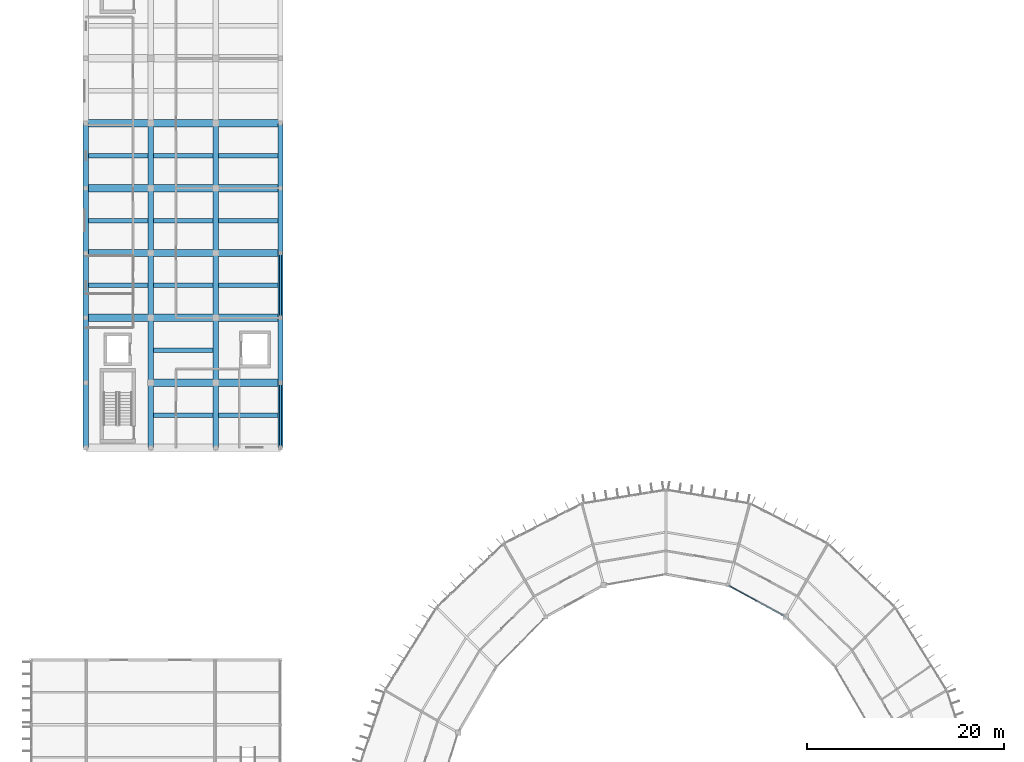
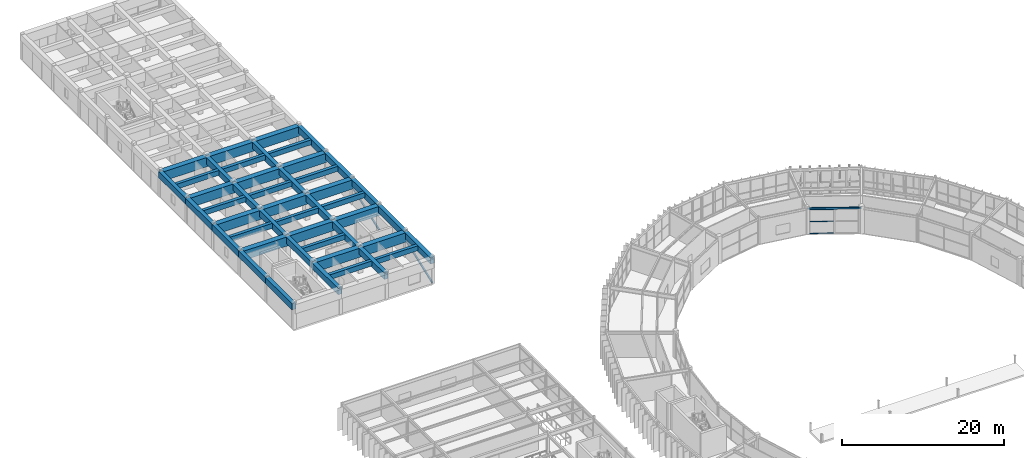
# One storey, part 92 of 157: 47 beams, 5 members, 1 element without a shape of its own.
"""IFC4 building model written with IfcOpenShell, lengths in metres."""

from ifc_helpers import new_model, si_unit, direction, frame, origin, origin_2d, place, context, subcontext, project, spatial, rectangle, hollow_rectangle, extrude, material, material_profile, profile_set, type_object, element, aggregate, save


model = new_model("IFC4")

# Units and contexts
model_context = context("Model", 3, precision=1e-05, world=origin(), true_north=direction((0.0, 1.0)))
body_context = subcontext(model_context, "Body", "Model", "MODEL_VIEW")
ifc_project = project(units=[si_unit("LENGTHUNIT", "METRE"), si_unit("AREAUNIT", "SQUARE_METRE"), si_unit("VOLUMEUNIT", "CUBIC_METRE"), si_unit("PLANEANGLEUNIT", "RADIAN"), si_unit("MASSUNIT", "GRAM", prefix="KILO")], contexts=[model_context])

# Site, building, storey
site_placement = place(None, origin())
site = spatial("IfcSite", under=ifc_project, at=site_placement, CompositionType="ELEMENT")
building_placement = place(site_placement, origin())
building = spatial("IfcBuilding", under=site, at=building_placement, Name="Karori Crest Natural Sciences Institute", CompositionType="ELEMENT")
storey_placement = place(building_placement, frame((0.0, 0.0, 13.300048828125)))
storey = spatial("IfcBuildingStorey", under=building, at=storey_placement, Name="L03", CompositionType="ELEMENT", Elevation=13.300048828125)

# Beams
ifc_material_1 = material(Name="Hollow structural steel AS/NZS 1163 Grade C350", Category="steel")
ifc_material_profile_1 = material_profile(ifc_material_1, hollow_rectangle(XDim=0.14990234375, YDim=0.25, WallThickness=0.009033203125, at=origin_2d()), Name="RHS250x150x9")
ifc_profile_set_1 = profile_set([ifc_material_profile_1], Name="Hollow structural steel AS/NZS 1163 Grade C350")
beam_type_1 = type_object("IfcBeamType", Name="BT-16", PredefinedType="SPANDREL", material=ifc_profile_set_1)
beam_1_placement = place(storey_placement, frame((78.60009765625, 77.785888671875, 3.7900390625), z_axis=(-0.877469531616, 0.47963238119, 0.0), x_axis=(-0.47963238119, -0.877469531616, 0.0)))
element("IfcBeam", 1, at=beam_1_placement, inside=storey, type_object=beam_type_1, Name="Beam B-0376", PredefinedType="SPANDREL", context=body_context, shape_type="SweptSolid", body=[
    extrude(hollow_rectangle(XDim=0.14990234375, YDim=0.25, WallThickness=0.009033203125, at=origin_2d()), origin(), (0.0, 0.0, 1.0), 6.706787109375),
])
ifc_material_2 = material(Name="Concrete 50 MPa", Category="concrete")
ifc_material_profile_2 = material_profile(ifc_material_2, rectangle(XDim=0.75, YDim=1.39990234375, at=origin_2d()), Name="RCB750x1400")
ifc_profile_set_2 = profile_set([ifc_material_profile_2], Name="Concrete 50 MPa")
beam_type_2 = type_object("IfcBeamType", Name="BT-17-IL", PredefinedType="BEAM", material=ifc_profile_set_2)
beam_2_placement = place(storey_placement, frame((14.0, 101.60009765625, 3.14990234375), z_axis=(1.0, 0.0, 0.0), x_axis=(0.0, 1.0, 0.0)))
element("IfcBeam", 2, at=beam_2_placement, inside=storey, type_object=beam_type_2, Name="Beam B-1651", PredefinedType="BEAM", context=body_context, shape_type="SweptSolid", body=[
    extrude(rectangle(XDim=0.75, YDim=1.39990234375, at=origin_2d()), origin(), (0.0, 0.0, 1.0), 6.60009765625),
])
beam_3_placement = place(storey_placement, frame((20.60009765625, 101.60009765625, 3.14990234375), z_axis=(1.0, 0.0, 0.0), x_axis=(0.0, 1.0, 0.0)))
element("IfcBeam", 3, at=beam_3_placement, inside=storey, type_object=beam_type_2, Name="Beam B-1652", PredefinedType="BEAM", context=body_context, shape_type="SweptSolid", body=[
    extrude(rectangle(XDim=0.75, YDim=1.39990234375, at=origin_2d()), origin(), (0.0, 0.0, 1.0), 6.599853515625),
])
for number, where, z_axis, x_axis, name in (
    (4, (7.39990234375, 108.199951171875, 3.14990234375), (1.0, 0.0, 0.0), (0.0, 1.0, 0.0), "Beam B-1653"),
    (5, (14.0, 108.199951171875, 3.14990234375), (1.0, 0.0, 0.0), (0.0, 1.0, 0.0), "Beam B-1654"),
):
    element("IfcBeam", number, at=place(storey_placement, frame(where, z_axis=z_axis, x_axis=x_axis)), inside=storey, type_object=beam_type_2, Name=name, PredefinedType="BEAM", context=body_context, shape_type="SweptSolid", body=[
        extrude(rectangle(XDim=0.75, YDim=1.39990234375, at=origin_2d()), origin(), (0.0, 0.0, 1.0), 6.60009765625),
    ])
beam_4_placement = place(storey_placement, frame((20.60009765625, 108.199951171875, 3.14990234375), z_axis=(1.0, 0.0, 0.0), x_axis=(0.0, 1.0, 0.0)))
element("IfcBeam", 6, at=beam_4_placement, inside=storey, type_object=beam_type_2, Name="Beam B-1655", PredefinedType="BEAM", context=body_context, shape_type="SweptSolid", body=[
    extrude(rectangle(XDim=0.75, YDim=1.39990234375, at=origin_2d()), origin(), (0.0, 0.0, 1.0), 6.599853515625),
])
for number, where, z_axis, x_axis, name in (
    (7, (7.39990234375, 114.800048828125, 3.14990234375), (1.0, 0.0, 0.0), (0.0, 1.0, 0.0), "Beam B-1656"),
    (8, (14.0, 114.800048828125, 3.14990234375), (1.0, 0.0, 0.0), (0.0, 1.0, 0.0), "Beam B-1657"),
):
    element("IfcBeam", number, at=place(storey_placement, frame(where, z_axis=z_axis, x_axis=x_axis)), inside=storey, type_object=beam_type_2, Name=name, PredefinedType="BEAM", context=body_context, shape_type="SweptSolid", body=[
        extrude(rectangle(XDim=0.75, YDim=1.39990234375, at=origin_2d()), origin(), (0.0, 0.0, 1.0), 6.60009765625),
    ])
beam_5_placement = place(storey_placement, frame((20.60009765625, 114.800048828125, 3.14990234375), z_axis=(1.0, 0.0, 0.0), x_axis=(0.0, 1.0, 0.0)))
element("IfcBeam", 9, at=beam_5_placement, inside=storey, type_object=beam_type_2, Name="Beam B-1658", PredefinedType="BEAM", context=body_context, shape_type="SweptSolid", body=[
    extrude(rectangle(XDim=0.75, YDim=1.39990234375, at=origin_2d()), origin(), (0.0, 0.0, 1.0), 6.599853515625),
])
for number, where, z_axis, x_axis, name in (
    (10, (7.39990234375, 121.39990234375, 3.14990234375), (1.0, 0.0, 0.0), (0.0, 1.0, 0.0), "Beam B-1659"),
    (11, (14.0, 121.39990234375, 3.14990234375), (1.0, 0.0, 0.0), (0.0, 1.0, 0.0), "Beam B-1660"),
):
    element("IfcBeam", number, at=place(storey_placement, frame(where, z_axis=z_axis, x_axis=x_axis)), inside=storey, type_object=beam_type_2, Name=name, PredefinedType="BEAM", context=body_context, shape_type="SweptSolid", body=[
        extrude(rectangle(XDim=0.75, YDim=1.39990234375, at=origin_2d()), origin(), (0.0, 0.0, 1.0), 6.60009765625),
    ])
beam_6_placement = place(storey_placement, frame((20.60009765625, 121.39990234375, 3.14990234375), z_axis=(1.0, 0.0, 0.0), x_axis=(0.0, 1.0, 0.0)))
element("IfcBeam", 12, at=beam_6_placement, inside=storey, type_object=beam_type_2, Name="Beam B-1661", PredefinedType="BEAM", context=body_context, shape_type="SweptSolid", body=[
    extrude(rectangle(XDim=0.75, YDim=1.39990234375, at=origin_2d()), origin(), (0.0, 0.0, 1.0), 6.599853515625),
])
for number, where, z_axis, x_axis, name in (
    (13, (7.39990234375, 128.0, 3.14990234375), (1.0, 0.0, 0.0), (0.0, 1.0, 0.0), "Beam B-1662"),
    (14, (14.0, 128.0, 3.14990234375), (1.0, 0.0, 0.0), (0.0, 1.0, 0.0), "Beam B-1663"),
):
    element("IfcBeam", number, at=place(storey_placement, frame(where, z_axis=z_axis, x_axis=x_axis)), inside=storey, type_object=beam_type_2, Name=name, PredefinedType="BEAM", context=body_context, shape_type="SweptSolid", body=[
        extrude(rectangle(XDim=0.75, YDim=1.39990234375, at=origin_2d()), origin(), (0.0, 0.0, 1.0), 6.60009765625),
    ])
beam_7_placement = place(storey_placement, frame((20.60009765625, 128.0, 3.14990234375), z_axis=(1.0, 0.0, 0.0), x_axis=(0.0, 1.0, 0.0)))
element("IfcBeam", 15, at=beam_7_placement, inside=storey, type_object=beam_type_2, Name="Beam B-1664", PredefinedType="BEAM", context=body_context, shape_type="SweptSolid", body=[
    extrude(rectangle(XDim=0.75, YDim=1.39990234375, at=origin_2d()), origin(), (0.0, 0.0, 1.0), 6.599853515625),
])
ifc_material_profile_3 = material_profile(ifc_material_2, rectangle(XDim=0.550048828125, YDim=0.949951171875, at=origin_2d()), Name="RCB550x950")
ifc_profile_set_3 = profile_set([ifc_material_profile_3], Name="Concrete 50 MPa")
beam_type_3 = type_object("IfcBeamType", Name="BT-34", PredefinedType="BEAM", material=ifc_profile_set_3)
beam_8_placement = place(storey_placement, frame((7.39990234375, 95.0, 3.375), z_axis=(0.0, 1.0, 0.0), x_axis=(-1.0, 0.0, 0.0)))
element("IfcBeam", 16, at=beam_8_placement, inside=storey, type_object=beam_type_3, Name="Beam B-1679", PredefinedType="BEAM", context=body_context, shape_type="SweptSolid", body=[
    extrude(rectangle(XDim=0.550048828125, YDim=0.949951171875, at=origin_2d()), origin(), (0.0, 0.0, 1.0), 6.60009765625),
])
beam_9_placement = place(storey_placement, frame((7.39990234375, 101.60009765625, 3.375), z_axis=(0.0, 1.0, 0.0), x_axis=(-1.0, 0.0, 0.0)))
element("IfcBeam", 17, at=beam_9_placement, inside=storey, type_object=beam_type_3, Name="Beam B-1680", PredefinedType="BEAM", context=body_context, shape_type="SweptSolid", body=[
    extrude(rectangle(XDim=0.550048828125, YDim=0.949951171875, at=origin_2d()), origin(), (0.0, 0.0, 1.0), 6.599853515625),
])
beam_10_placement = place(storey_placement, frame((7.39990234375, 108.199951171875, 3.375), z_axis=(0.0, 1.0, 0.0), x_axis=(-1.0, 0.0, 0.0)))
element("IfcBeam", 18, at=beam_10_placement, inside=storey, type_object=beam_type_3, Name="Beam B-1681", PredefinedType="BEAM", context=body_context, shape_type="SweptSolid", body=[
    extrude(rectangle(XDim=0.550048828125, YDim=0.949951171875, at=origin_2d()), origin(), (0.0, 0.0, 1.0), 6.60009765625),
])
beam_11_placement = place(storey_placement, frame((7.39990234375, 114.800048828125, 3.375), z_axis=(0.0, 1.0, 0.0), x_axis=(-1.0, 0.0, 0.0)))
element("IfcBeam", 19, at=beam_11_placement, inside=storey, type_object=beam_type_3, Name="Beam B-1682", PredefinedType="BEAM", context=body_context, shape_type="SweptSolid", body=[
    extrude(rectangle(XDim=0.550048828125, YDim=0.949951171875, at=origin_2d()), origin(), (0.0, 0.0, 1.0), 6.599853515625),
])
for number, where, z_axis, x_axis, name in (
    (20, (7.39990234375, 121.39990234375, 3.375), (0.0, 1.0, 0.0), (-1.0, 0.0, 0.0), "Beam B-1683"),
    (21, (27.199951171875, 95.0, 3.375), (0.0, 1.0, 0.0), (-1.0, 0.0, 0.0), "Beam B-1709"),
):
    element("IfcBeam", number, at=place(storey_placement, frame(where, z_axis=z_axis, x_axis=x_axis)), inside=storey, type_object=beam_type_3, Name=name, PredefinedType="BEAM", context=body_context, shape_type="SweptSolid", body=[
        extrude(rectangle(XDim=0.550048828125, YDim=0.949951171875, at=origin_2d()), origin(), (0.0, 0.0, 1.0), 6.60009765625),
    ])
beam_12_placement = place(storey_placement, frame((27.199951171875, 101.60009765625, 3.375), z_axis=(0.0, 1.0, 0.0), x_axis=(-1.0, 0.0, 0.0)))
element("IfcBeam", 22, at=beam_12_placement, inside=storey, type_object=beam_type_3, Name="Beam B-1710", PredefinedType="BEAM", context=body_context, shape_type="SweptSolid", body=[
    extrude(rectangle(XDim=0.550048828125, YDim=0.949951171875, at=origin_2d()), origin(), (0.0, 0.0, 1.0), 6.599853515625),
])
beam_13_placement = place(storey_placement, frame((27.199951171875, 108.199951171875, 3.375), z_axis=(0.0, 1.0, 0.0), x_axis=(-1.0, 0.0, 0.0)))
element("IfcBeam", 23, at=beam_13_placement, inside=storey, type_object=beam_type_3, Name="Beam B-1711", PredefinedType="BEAM", context=body_context, shape_type="SweptSolid", body=[
    extrude(rectangle(XDim=0.550048828125, YDim=0.949951171875, at=origin_2d()), origin(), (0.0, 0.0, 1.0), 6.60009765625),
])
beam_14_placement = place(storey_placement, frame((27.199951171875, 114.800048828125, 3.375), z_axis=(0.0, 1.0, 0.0), x_axis=(-1.0, 0.0, 0.0)))
element("IfcBeam", 24, at=beam_14_placement, inside=storey, type_object=beam_type_3, Name="Beam B-1712", PredefinedType="BEAM", context=body_context, shape_type="SweptSolid", body=[
    extrude(rectangle(XDim=0.550048828125, YDim=0.949951171875, at=origin_2d()), origin(), (0.0, 0.0, 1.0), 6.599853515625),
])
beam_15_placement = place(storey_placement, frame((27.199951171875, 121.39990234375, 3.375), z_axis=(0.0, 1.0, 0.0), x_axis=(-1.0, 0.0, 0.0)))
element("IfcBeam", 25, at=beam_15_placement, inside=storey, type_object=beam_type_3, Name="Beam B-1713", PredefinedType="BEAM", context=body_context, shape_type="SweptSolid", body=[
    extrude(rectangle(XDim=0.550048828125, YDim=0.949951171875, at=origin_2d()), origin(), (0.0, 0.0, 1.0), 6.60009765625),
])
ifc_material_profile_4 = material_profile(ifc_material_2, rectangle(XDim=0.550048828125, YDim=0.949951171875, at=origin_2d()), Name="RCB550x950")
ifc_profile_set_4 = profile_set([ifc_material_profile_4], Name="Concrete 50 MPa")
beam_type_4 = type_object("IfcBeamType", Name="BT-34-IL", PredefinedType="BEAM", material=ifc_profile_set_4)
beam_16_placement = place(storey_placement, frame((14.0, 95.0, 3.375), z_axis=(0.0, 1.0, 0.0), x_axis=(-1.0, 0.0, 0.0)))
element("IfcBeam", 26, at=beam_16_placement, inside=storey, type_object=beam_type_4, Name="Beam B-1689", PredefinedType="BEAM", context=body_context, shape_type="SweptSolid", body=[
    extrude(rectangle(XDim=0.550048828125, YDim=0.949951171875, at=origin_2d()), origin(), (0.0, 0.0, 1.0), 6.60009765625),
])
beam_17_placement = place(storey_placement, frame((14.0, 101.60009765625, 3.375), z_axis=(0.0, 1.0, 0.0), x_axis=(-1.0, 0.0, 0.0)))
element("IfcBeam", 27, at=beam_17_placement, inside=storey, type_object=beam_type_4, Name="Beam B-1690", PredefinedType="BEAM", context=body_context, shape_type="SweptSolid", body=[
    extrude(rectangle(XDim=0.550048828125, YDim=0.949951171875, at=origin_2d()), origin(), (0.0, 0.0, 1.0), 6.599853515625),
])
beam_18_placement = place(storey_placement, frame((14.0, 108.199951171875, 3.375), z_axis=(0.0, 1.0, 0.0), x_axis=(-1.0, 0.0, 0.0)))
element("IfcBeam", 28, at=beam_18_placement, inside=storey, type_object=beam_type_4, Name="Beam B-1691", PredefinedType="BEAM", context=body_context, shape_type="SweptSolid", body=[
    extrude(rectangle(XDim=0.550048828125, YDim=0.949951171875, at=origin_2d()), origin(), (0.0, 0.0, 1.0), 6.60009765625),
])
beam_19_placement = place(storey_placement, frame((14.0, 114.800048828125, 3.375), z_axis=(0.0, 1.0, 0.0), x_axis=(-1.0, 0.0, 0.0)))
element("IfcBeam", 29, at=beam_19_placement, inside=storey, type_object=beam_type_4, Name="Beam B-1692", PredefinedType="BEAM", context=body_context, shape_type="SweptSolid", body=[
    extrude(rectangle(XDim=0.550048828125, YDim=0.949951171875, at=origin_2d()), origin(), (0.0, 0.0, 1.0), 6.599853515625),
])
for number, where, z_axis, x_axis, name in (
    (30, (14.0, 121.39990234375, 3.375), (0.0, 1.0, 0.0), (-1.0, 0.0, 0.0), "Beam B-1693"),
    (31, (20.60009765625, 95.0, 3.375), (0.0, 1.0, 0.0), (-1.0, 0.0, 0.0), "Beam B-1699"),
):
    element("IfcBeam", number, at=place(storey_placement, frame(where, z_axis=z_axis, x_axis=x_axis)), inside=storey, type_object=beam_type_4, Name=name, PredefinedType="BEAM", context=body_context, shape_type="SweptSolid", body=[
        extrude(rectangle(XDim=0.550048828125, YDim=0.949951171875, at=origin_2d()), origin(), (0.0, 0.0, 1.0), 6.60009765625),
    ])
beam_20_placement = place(storey_placement, frame((20.60009765625, 101.60009765625, 3.375), z_axis=(0.0, 1.0, 0.0), x_axis=(-1.0, 0.0, 0.0)))
element("IfcBeam", 32, at=beam_20_placement, inside=storey, type_object=beam_type_4, Name="Beam B-1700", PredefinedType="BEAM", context=body_context, shape_type="SweptSolid", body=[
    extrude(rectangle(XDim=0.550048828125, YDim=0.949951171875, at=origin_2d()), origin(), (0.0, 0.0, 1.0), 6.599853515625),
])
beam_21_placement = place(storey_placement, frame((20.60009765625, 108.199951171875, 3.375), z_axis=(0.0, 1.0, 0.0), x_axis=(-1.0, 0.0, 0.0)))
element("IfcBeam", 33, at=beam_21_placement, inside=storey, type_object=beam_type_4, Name="Beam B-1701", PredefinedType="BEAM", context=body_context, shape_type="SweptSolid", body=[
    extrude(rectangle(XDim=0.550048828125, YDim=0.949951171875, at=origin_2d()), origin(), (0.0, 0.0, 1.0), 6.60009765625),
])
beam_22_placement = place(storey_placement, frame((20.60009765625, 114.800048828125, 3.375), z_axis=(0.0, 1.0, 0.0), x_axis=(-1.0, 0.0, 0.0)))
element("IfcBeam", 34, at=beam_22_placement, inside=storey, type_object=beam_type_4, Name="Beam B-1702", PredefinedType="BEAM", context=body_context, shape_type="SweptSolid", body=[
    extrude(rectangle(XDim=0.550048828125, YDim=0.949951171875, at=origin_2d()), origin(), (0.0, 0.0, 1.0), 6.599853515625),
])
beam_23_placement = place(storey_placement, frame((20.60009765625, 121.39990234375, 3.375), z_axis=(0.0, 1.0, 0.0), x_axis=(-1.0, 0.0, 0.0)))
element("IfcBeam", 35, at=beam_23_placement, inside=storey, type_object=beam_type_4, Name="Beam B-1703", PredefinedType="BEAM", context=body_context, shape_type="SweptSolid", body=[
    extrude(rectangle(XDim=0.550048828125, YDim=0.949951171875, at=origin_2d()), origin(), (0.0, 0.0, 1.0), 6.60009765625),
])
ifc_material_profile_5 = material_profile(ifc_material_2, rectangle(XDim=0.449951171875, YDim=0.75, at=origin_2d()), Name="RCB450x750")
ifc_profile_set_5 = profile_set([ifc_material_profile_5], Name="Concrete 50 MPa")
beam_type_5 = type_object("IfcBeamType", Name="BT-35", PredefinedType="BEAM", material=ifc_profile_set_5)
for number, where, z_axis, x_axis, name in (
    (36, (7.675048828125, 111.5, 3.474853515625), (1.0, 0.0, 0.0), (0.0, 1.0, 0.0), "Beam B-1719"),
    (37, (7.675048828125, 118.10009765625, 3.474853515625), (1.0, 0.0, 0.0), (0.0, 1.0, 0.0), "Beam B-1720"),
    (38, (7.675048828125, 124.699951171875, 3.474853515625), (1.0, 0.0, 0.0), (0.0, 1.0, 0.0), "Beam B-1721"),
    (39, (14.27490234375, 98.300048828125, 3.474853515625), (1.0, 0.0, 0.0), (0.0, 1.0, 0.0), "Beam B-1726"),
    (40, (14.27490234375, 104.89990234375, 3.474853515625), (1.0, 0.0, 0.0), (0.0, 1.0, 0.0), "Beam B-1727"),
    (41, (14.27490234375, 111.5, 3.474853515625), (1.0, 0.0, 0.0), (0.0, 1.0, 0.0), "Beam B-1728"),
    (42, (14.27490234375, 118.10009765625, 3.474853515625), (1.0, 0.0, 0.0), (0.0, 1.0, 0.0), "Beam B-1729"),
    (43, (14.27490234375, 124.699951171875, 3.474853515625), (1.0, 0.0, 0.0), (0.0, 1.0, 0.0), "Beam B-1730"),
    (44, (20.875, 98.300048828125, 3.474853515625), (1.0, 0.0, 0.0), (0.0, 1.0, 0.0), "Beam B-1736"),
    (45, (20.875, 111.5, 3.474853515625), (1.0, 0.0, 0.0), (0.0, 1.0, 0.0), "Beam B-1737"),
    (46, (20.875, 118.10009765625, 3.474853515625), (1.0, 0.0, 0.0), (0.0, 1.0, 0.0), "Beam B-1738"),
    (47, (20.875, 124.699951171875, 3.474853515625), (1.0, 0.0, 0.0), (0.0, 1.0, 0.0), "Beam B-1739"),
):
    element("IfcBeam", number, at=place(storey_placement, frame(where, z_axis=z_axis, x_axis=x_axis)), inside=storey, type_object=beam_type_5, Name=name, PredefinedType="BEAM", context=body_context, shape_type="SweptSolid", body=[
        extrude(rectangle(XDim=0.449951171875, YDim=0.75, at=origin_2d()), origin(), (0.0, 0.0, 1.0), 6.050048828125),
    ])

# Curtain wall, members
ifc_material_3 = material(Name="Anodised architectural aluminium 6063-T6", Category="aluminium")
curtain_wall_type = type_object("IfcCurtainWallType", Name="CWT-15", PredefinedType="NOTDEFINED", material=ifc_material_3)
curtain_wall_placement = place(storey_placement, origin())
curtain_wall = element("IfcCurtainWall", 48, at=curtain_wall_placement, inside=storey, type_object=curtain_wall_type, Name="Curtain wall CW-0107", PredefinedType="NOTDEFINED")
ifc_material_profile_6 = material_profile(ifc_material_3, hollow_rectangle(XDim=0.06005859375, YDim=0.1201171875, WallThickness=0.00390625, at=origin_2d()), Name="CWT120x60x4")
ifc_profile_set_6 = profile_set([ifc_material_profile_6], Name="Anodised architectural aluminium 6063-T6")
member_type_1 = type_object("IfcMemberType", Name="CWT-TR1", PredefinedType="USERDEFINED", material=ifc_profile_set_6)
member_1_placement = place(storey_placement, frame((75.591552734375, 79.430419921875, 0.030029296875), z_axis=(-0.877448541585, 0.479670779672, 0.0), x_axis=(-0.479670779672, -0.877448541585, 0.0)))
member_1 = element("IfcMember", 49, at=member_1_placement, type_object=member_type_1, Name="CW-0107 transom 2.1", ObjectType="TRANSOM", PredefinedType="USERDEFINED", context=body_context, shape_type="SweptSolid", body=[
    extrude(hollow_rectangle(XDim=0.06005859375, YDim=0.1201171875, WallThickness=0.00390625, at=origin_2d()), origin(), (0.0, 0.0, 1.0), 2.987060546875),
])
member_2_placement = place(storey_placement, frame((75.591552734375, 79.430419921875, 1.824951171875), z_axis=(-0.877448541585, 0.479670779672, 0.0), x_axis=(-0.479670779672, -0.877448541585, 0.0)))
member_2 = element("IfcMember", 50, at=member_2_placement, type_object=member_type_1, Name="CW-0107 transom 2.2", ObjectType="TRANSOM", PredefinedType="USERDEFINED", context=body_context, shape_type="SweptSolid", body=[
    extrude(hollow_rectangle(XDim=0.06005859375, YDim=0.1201171875, WallThickness=0.00390625, at=origin_2d()), origin(), (0.0, 0.0, 1.0), 2.987060546875),
])
member_3_placement = place(storey_placement, frame((75.591552734375, 79.430419921875, 3.619873046875), z_axis=(-0.877448541585, 0.479670779672, 0.0), x_axis=(-0.479670779672, -0.877448541585, 0.0)))
member_3 = element("IfcMember", 51, at=member_3_placement, type_object=member_type_1, Name="CW-0107 transom 2.3", ObjectType="TRANSOM", PredefinedType="USERDEFINED", context=body_context, shape_type="SweptSolid", body=[
    extrude(hollow_rectangle(XDim=0.06005859375, YDim=0.1201171875, WallThickness=0.00390625, at=origin_2d()), origin(), (0.0, 0.0, 1.0), 2.987060546875),
])
aggregate(curtain_wall, [member_1, member_2, member_3])

# Members
ifc_material_profile_7 = material_profile(ifc_material_1, hollow_rectangle(XDim=0.199951171875, YDim=0.199951171875, WallThickness=0.010009765625, at=origin_2d()), Name="SHS200x200x10")
ifc_profile_set_7 = profile_set([ifc_material_profile_7], Name="Hollow structural steel AS/NZS 1163 Grade C350")
member_type_2 = type_object("IfcMemberType", Name="MT-04", PredefinedType="BRACE", material=ifc_profile_set_7)
for number, where, z_axis, x_axis, name in (
    (52, (27.199951171875, 95.0, 0.010009765625), (0.0, 0.937495430674, 0.347997582556), (-1.0, 0.0, 0.0), "Diagonal Brace M-0432"),
    (53, (27.199951171875, 108.199951171875, 0.010009765625), (0.0, 0.937495430674, 0.347997582556), (-1.0, 0.0, 0.0), "Diagonal Brace M-0433"),
):
    element("IfcMember", number, at=place(storey_placement, frame(where, z_axis=z_axis, x_axis=x_axis)), inside=storey, type_object=member_type_2, Name=name, PredefinedType="BRACE", context=body_context, shape_type="SweptSolid", body=[
        extrude(hollow_rectangle(XDim=0.199951171875, YDim=0.199951171875, WallThickness=0.010009765625, at=origin_2d()), origin(), (0.0, 0.0, 1.0), 7.0400390625),
    ])

save(model, "model.ifc")
